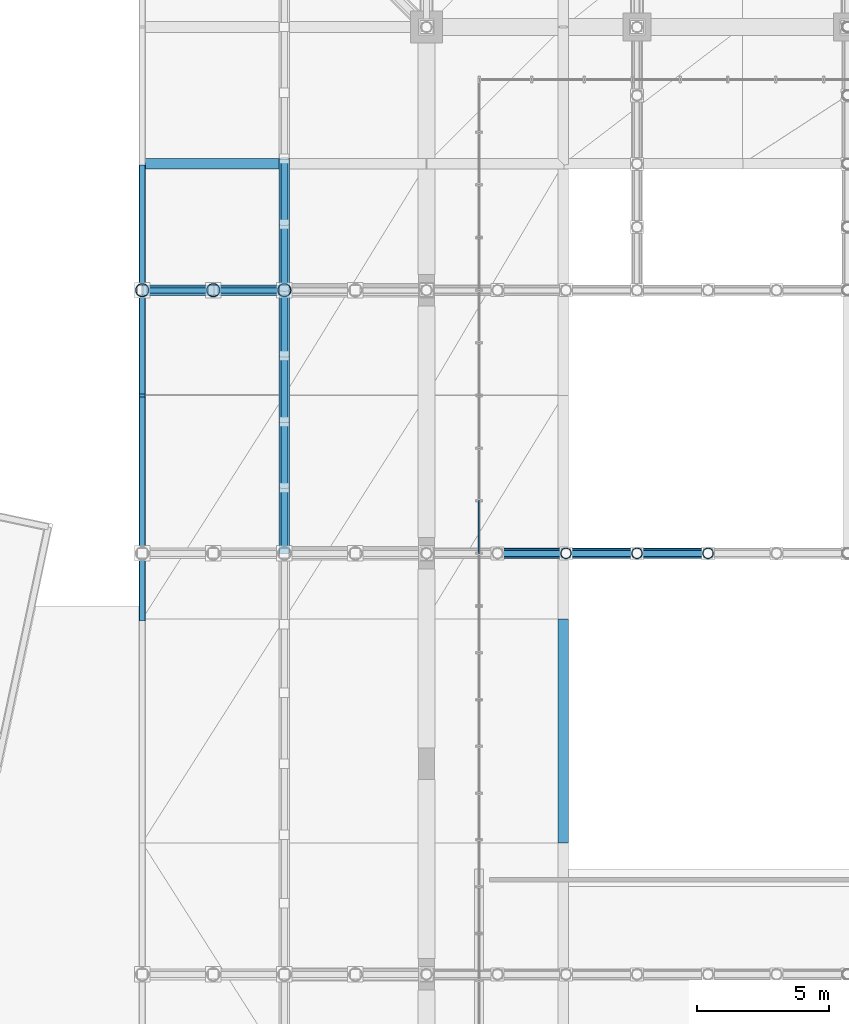
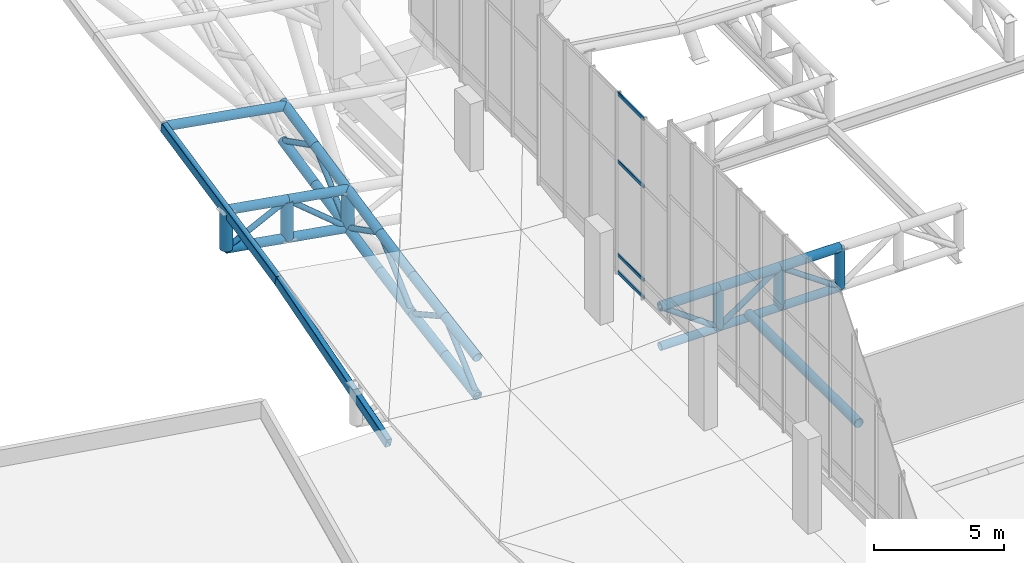
# One storey, part 37 of 137: 45 members, 2 beams, 1 element without a shape of its own.
"""IFC4 building model written with IfcOpenShell, lengths in metres."""

from ifc_helpers import new_model, si_unit, direction, frame, origin, origin_2d, place, context, subcontext, project, spatial, hollow_rectangle, hollow_circle, extrude, material, layer, layer_set, material_profile, profile_set, type_object, element, aggregate, save


model = new_model("IFC4")

# Units and contexts
model_context = context("Model", 3, precision=1e-05, world=origin(), true_north=direction((0.0, 1.0)))
body_context = subcontext(model_context, "Body", "Model", "MODEL_VIEW")
ifc_project = project(units=[si_unit("LENGTHUNIT", "METRE"), si_unit("AREAUNIT", "SQUARE_METRE"), si_unit("VOLUMEUNIT", "CUBIC_METRE"), si_unit("PLANEANGLEUNIT", "RADIAN"), si_unit("MASSUNIT", "GRAM", prefix="KILO")], contexts=[model_context])

# Site, building, storey
site_placement = place(None, origin())
site = spatial("IfcSite", under=ifc_project, at=site_placement, CompositionType="ELEMENT")
building_placement = place(site_placement, origin())
building = spatial("IfcBuilding", under=site, at=building_placement, Name="Khorjan Park Terminus", CompositionType="ELEMENT")
storey_placement = place(building_placement, frame((0.0, 0.0, 11.4)))
storey = spatial("IfcBuildingStorey", under=building, at=storey_placement, Name="L02", CompositionType="ELEMENT", Elevation=11.4)

# Members
ifc_material_1 = material(Name="Steel S355", Category="steel")
ifc_material_profile_1 = material_profile(ifc_material_1, hollow_circle(Radius=0.1222, WallThickness=0.0125, at=origin_2d()), Name="CHS 244.5x12.5")
ifc_profile_set_1 = profile_set([ifc_material_profile_1], Name="Steel S355")
member_type_1 = type_object("IfcMemberType", Name="MB-BR-245", PredefinedType="BRACE", material=ifc_profile_set_1)
member_1_placement = place(storey_placement, frame((50.7, 68.0, -0.05), z_axis=(0.811830357573, 0.0, -0.583893372562), x_axis=(0.0, 1.0, 0.0)))
element("IfcMember", 1, at=member_1_placement, inside=storey, type_object=member_type_1, Name="Lower shell W/E truss diagonal (W3)", PredefinedType="BRACE", context=body_context, shape_type="SweptSolid", body=[
    extrude(hollow_circle(Radius=0.1222, WallThickness=0.0125, at=origin_2d()), origin(), (0.0, 0.0, 1.0), 3.2026),
])
for number, where, z_axis, x_axis, name in (
    (2, (53.3, 68.0, -1.92), (0.822082565391, 0.0, 0.569368295289), (0.0, 1.0, 0.0), "Lower shell W/E truss diagonal (W3)"),
    (3, (56.0, 68.0, -0.05), (0.822082565391, 0.0, -0.569368295289), (0.0, 1.0, 0.0), "Lower shell W/E truss diagonal (W3)"),
):
    element("IfcMember", number, at=place(storey_placement, frame(where, z_axis=z_axis, x_axis=x_axis)), inside=storey, type_object=member_type_1, Name=name, PredefinedType="BRACE", context=body_context, shape_type="SweptSolid", body=[
        extrude(hollow_circle(Radius=0.1222, WallThickness=0.0125, at=origin_2d()), origin(), (0.0, 0.0, 1.0), 3.2843),
    ])
ifc_material_profile_2 = material_profile(ifc_material_1, hollow_circle(Radius=0.1222, WallThickness=0.0125, at=origin_2d()), Name="CHS 244.5x12.5")
ifc_profile_set_2 = profile_set([ifc_material_profile_2], Name="Steel S355")
member_type_2 = type_object("IfcMemberType", Name="MB-BRE-245", PredefinedType="BRACE", material=ifc_profile_set_2)
member_2_placement = place(storey_placement, frame((37.2, 78.0, 1.3564), z_axis=(0.895499207917, 0.0, 0.445063106335), x_axis=(0.0, 1.0, 0.0)))
element("IfcMember", 4, at=member_2_placement, inside=storey, type_object=member_type_2, Name="Lower shell W/E truss diagonal (W4)", PredefinedType="BRACE", context=body_context, shape_type="SweptSolid", body=[
    extrude(hollow_circle(Radius=0.1222, WallThickness=0.0125, at=origin_2d()), origin(), (0.0, 0.0, 1.0), 3.0151),
])
member_3_placement = place(storey_placement, frame((39.9, 78.0, 2.6983), z_axis=(0.767102290967, 0.0, -0.641524804816), x_axis=(0.0, 1.0, 0.0)))
element("IfcMember", 5, at=member_3_placement, inside=storey, type_object=member_type_2, Name="Lower shell W/E truss diagonal (W4)", PredefinedType="BRACE", context=body_context, shape_type="SweptSolid", body=[
    extrude(hollow_circle(Radius=0.1222, WallThickness=0.0125, at=origin_2d()), origin(), (0.0, 0.0, 1.0), 3.5197),
])
member_4_placement = place(storey_placement, frame((42.6, 68.0, -1.4106), z_axis=(0.0, 0.748125433345, 0.66355733436), x_axis=(-1.0, 0.0, 0.0)))
element("IfcMember", 6, at=member_4_placement, inside=storey, type_object=member_type_2, Name="Lower shell mid-ring diagonal (W21)", PredefinedType="BRACE", context=body_context, shape_type="SweptSolid", body=[
    extrude(hollow_circle(Radius=0.1222, WallThickness=0.0125, at=origin_2d()), origin(), (0.0, 0.0, 1.0), 3.3417),
])
member_5_placement = place(storey_placement, frame((42.6, 70.5, 0.8068), z_axis=(0.0, 0.875075363412, -0.483986681996), x_axis=(-1.0, 0.0, 0.0)))
element("IfcMember", 7, at=member_5_placement, inside=storey, type_object=member_type_2, Name="Lower shell mid-ring diagonal (W22)", PredefinedType="BRACE", context=body_context, shape_type="SweptSolid", body=[
    extrude(hollow_circle(Radius=0.1222, WallThickness=0.0125, at=origin_2d()), origin(), (0.0, 0.0, 1.0), 2.8569),
])
member_6_placement = place(storey_placement, frame((42.6, 73.0, -0.5759), z_axis=(0.0, 0.738075017903, 0.674718658366), x_axis=(-1.0, 0.0, 0.0)))
element("IfcMember", 8, at=member_6_placement, inside=storey, type_object=member_type_2, Name="Lower shell mid-ring diagonal (W23)", PredefinedType="BRACE", context=body_context, shape_type="SweptSolid", body=[
    extrude(hollow_circle(Radius=0.1222, WallThickness=0.0125, at=origin_2d()), origin(), (0.0, 0.0, 1.0), 3.3872),
])
member_7_placement = place(storey_placement, frame((42.6, 75.5, 1.7095), z_axis=(0.0, 0.891671199046, -0.452683634332), x_axis=(-1.0, 0.0, 0.0)))
element("IfcMember", 9, at=member_7_placement, inside=storey, type_object=member_type_2, Name="Lower shell mid-ring diagonal (W24)", PredefinedType="BRACE", context=body_context, shape_type="SweptSolid", body=[
    extrude(hollow_circle(Radius=0.1222, WallThickness=0.0125, at=origin_2d()), origin(), (0.0, 0.0, 1.0), 2.8037),
])
member_8_placement = place(storey_placement, frame((42.6, 78.0, 0.4403), z_axis=(0.0, 0.731439462043, 0.681906381673), x_axis=(-1.0, 0.0, 0.0)))
element("IfcMember", 10, at=member_8_placement, inside=storey, type_object=member_type_2, Name="Lower shell mid-ring diagonal (W25)", PredefinedType="BRACE", context=body_context, shape_type="SweptSolid", body=[
    extrude(hollow_circle(Radius=0.1222, WallThickness=0.0125, at=origin_2d()), origin(), (0.0, 0.0, 1.0), 3.4179),
])
member_9_placement = place(storey_placement, frame((42.6, 80.5, 2.771), z_axis=(0.0, 0.891671199046, -0.452683634332), x_axis=(-1.0, 0.0, 0.0)))
element("IfcMember", 11, at=member_9_placement, inside=storey, type_object=member_type_2, Name="Lower shell mid-ring diagonal (W26)", PredefinedType="BRACE", context=body_context, shape_type="SweptSolid", body=[
    extrude(hollow_circle(Radius=0.1222, WallThickness=0.0125, at=origin_2d()), origin(), (0.0, 0.0, 1.0), 2.8037),
])
ifc_material_profile_3 = material_profile(ifc_material_1, hollow_circle(Radius=0.1778, WallThickness=0.016, at=origin_2d()), Name="CHS 355.6x16")
ifc_profile_set_3 = profile_set([ifc_material_profile_3], Name="Steel S355")
member_type_3 = type_object("IfcMemberType", Name="MB-CH-356", PredefinedType="CHORD", material=ifc_profile_set_3)
member_10_placement = place(storey_placement, frame((50.7, 68.0, -1.92), z_axis=(1.0, 0.0, 0.0), x_axis=(0.0, 1.0, 0.0)))
element("IfcMember", 12, at=member_10_placement, inside=storey, type_object=member_type_3, Name="Lower shell W/E truss bottom chord (W3)", PredefinedType="CHORD", context=body_context, shape_type="SweptSolid", body=[
    extrude(hollow_circle(Radius=0.1778, WallThickness=0.016, at=origin_2d()), origin(), (0.0, 0.0, 1.0), 2.6),
])
for number, where, z_axis, x_axis, name in (
    (13, (53.3, 68.0, -1.92), (1.0, 0.0, 0.0), (0.0, 1.0, 0.0), "Lower shell W/E truss bottom chord (W3)"),
    (14, (56.0, 68.0, -1.92), (1.0, 0.0, 0.0), (0.0, 1.0, 0.0), "Lower shell W/E truss bottom chord (W3)"),
):
    element("IfcMember", number, at=place(storey_placement, frame(where, z_axis=z_axis, x_axis=x_axis)), inside=storey, type_object=member_type_3, Name=name, PredefinedType="CHORD", context=body_context, shape_type="SweptSolid", body=[
        extrude(hollow_circle(Radius=0.1778, WallThickness=0.016, at=origin_2d()), origin(), (0.0, 0.0, 1.0), 2.7),
    ])
ifc_material_profile_4 = material_profile(ifc_material_1, hollow_circle(Radius=0.2032, WallThickness=0.016, at=origin_2d()), Name="CHS 406.4x16")
ifc_profile_set_4 = profile_set([ifc_material_profile_4], Name="Steel S355")
member_type_4 = type_object("IfcMemberType", Name="MB-CH-406", PredefinedType="CHORD", material=ifc_profile_set_4)
member_11_placement = place(storey_placement, frame((53.2, 57.0, 0.266), z_axis=(0.0, 1.0, 0.0), x_axis=(-1.0, 0.0, 0.0)))
element("IfcMember", 15, at=member_11_placement, inside=storey, type_object=member_type_4, Name="Lower wrapping shell rim chord (132)", PredefinedType="CHORD", context=body_context, shape_type="SweptSolid", body=[
    extrude(hollow_circle(Radius=0.2032, WallThickness=0.016, at=origin_2d()), origin(), (0.0, 0.0, 1.0), 8.5),
])
member_12_placement = place(storey_placement, frame((50.7, 68.0, -0.05), z_axis=(1.0, 0.0, 0.0), x_axis=(0.0, 1.0, 0.0)))
element("IfcMember", 16, at=member_12_placement, inside=storey, type_object=member_type_4, Name="Lower shell W/E truss top chord (W3)", PredefinedType="CHORD", context=body_context, shape_type="SweptSolid", body=[
    extrude(hollow_circle(Radius=0.2032, WallThickness=0.016, at=origin_2d()), origin(), (0.0, 0.0, 1.0), 2.6),
])
for number, where, z_axis, x_axis, name in (
    (17, (53.3, 68.0, -0.05), (1.0, 0.0, 0.0), (0.0, 1.0, 0.0), "Lower shell W/E truss top chord (W3)"),
    (18, (56.0, 68.0, -0.05), (1.0, 0.0, 0.0), (0.0, 1.0, 0.0), "Lower shell W/E truss top chord (W3)"),
):
    element("IfcMember", number, at=place(storey_placement, frame(where, z_axis=z_axis, x_axis=x_axis)), inside=storey, type_object=member_type_4, Name=name, PredefinedType="CHORD", context=body_context, shape_type="SweptSolid", body=[
        extrude(hollow_circle(Radius=0.2032, WallThickness=0.016, at=origin_2d()), origin(), (0.0, 0.0, 1.0), 2.7),
    ])
ifc_material_profile_5 = material_profile(ifc_material_1, hollow_circle(Radius=0.2032, WallThickness=0.016, at=origin_2d()), Name="CHS 406.4x16")
ifc_profile_set_5 = profile_set([ifc_material_profile_5], Name="Steel S355")
member_type_5 = type_object("IfcMemberType", Name="MB-CHE-406", PredefinedType="CHORD", material=ifc_profile_set_5)
member_13_placement = place(storey_placement, frame((37.2, 82.8, 4.1754), z_axis=(0.985913104802, 0.0, -0.167258332465), x_axis=(0.0, 1.0, 0.0)))
element("IfcMember", 19, at=member_13_placement, inside=storey, type_object=member_type_5, Name="Lower wrapping shell rim chord (89)", PredefinedType="CHORD", context=body_context, shape_type="SweptSolid", body=[
    extrude(hollow_circle(Radius=0.2032, WallThickness=0.016, at=origin_2d()), origin(), (0.0, 0.0, 1.0), 5.4772),
])
for number, where, z_axis, x_axis, name in (
    (20, (37.2, 78.0, 3.1564), (0.985910093926, 0.0, -0.167276079269), (0.0, 1.0, 0.0), "Lower shell W/E truss top chord (W4)"),
    (21, (37.2, 78.0, 1.3564), (0.985910093926, 0.0, -0.167276079269), (0.0, 1.0, 0.0), "Lower shell W/E truss bottom chord (W4)"),
    (22, (39.9, 78.0, 2.6983), (0.985916115378, 0.0, -0.167240585497), (0.0, 1.0, 0.0), "Lower shell W/E truss top chord (W4)"),
    (23, (39.9, 78.0, 0.8983), (0.985916115378, 0.0, -0.167240585497), (0.0, 1.0, 0.0), "Lower shell W/E truss bottom chord (W4)"),
):
    element("IfcMember", number, at=place(storey_placement, frame(where, z_axis=z_axis, x_axis=x_axis)), inside=storey, type_object=member_type_5, Name=name, PredefinedType="CHORD", context=body_context, shape_type="SweptSolid", body=[
        extrude(hollow_circle(Radius=0.2032, WallThickness=0.016, at=origin_2d()), origin(), (0.0, 0.0, 1.0), 2.7386),
    ])
for number, where, z_axis, x_axis, name in (
    (24, (42.6, 68.0, 0.3894), (0.0, 0.986346965536, 0.164680489366), (-1.0, 0.0, 0.0), "Lower shell mid-ring top chord (W21)"),
    (25, (42.6, 68.0, -1.4106), (0.0, 0.986346965536, 0.164680489366), (-1.0, 0.0, 0.0), "Lower shell mid-ring bottom chord (W21)"),
    (26, (42.6, 70.5, 0.8068), (0.0, 0.986353373407, 0.164642105089), (-1.0, 0.0, 0.0), "Lower shell mid-ring top chord (W22)"),
    (27, (42.6, 70.5, -0.9932), (0.0, 0.986353373407, 0.164642105089), (-1.0, 0.0, 0.0), "Lower shell mid-ring bottom chord (W22)"),
):
    element("IfcMember", number, at=place(storey_placement, frame(where, z_axis=z_axis, x_axis=x_axis)), inside=storey, type_object=member_type_5, Name=name, PredefinedType="CHORD", context=body_context, shape_type="SweptSolid", body=[
        extrude(hollow_circle(Radius=0.2032, WallThickness=0.016, at=origin_2d()), origin(), (0.0, 0.0, 1.0), 2.5346),
    ])
for number, where, z_axis, x_axis, name in (
    (28, (42.6, 73.0, 1.2241), (0.0, 0.981667669478, 0.190600594706), (-1.0, 0.0, 0.0), "Lower shell mid-ring top chord (W23)"),
    (29, (42.6, 73.0, -0.5759), (0.0, 0.981667669478, 0.190600594706), (-1.0, 0.0, 0.0), "Lower shell mid-ring bottom chord (W23)"),
):
    element("IfcMember", number, at=place(storey_placement, frame(where, z_axis=z_axis, x_axis=x_axis)), inside=storey, type_object=member_type_5, Name=name, PredefinedType="CHORD", context=body_context, shape_type="SweptSolid", body=[
        extrude(hollow_circle(Radius=0.2032, WallThickness=0.016, at=origin_2d()), origin(), (0.0, 0.0, 1.0), 2.5467),
    ])
for number, where, z_axis, x_axis, name in (
    (30, (42.6, 75.5, 1.7095), (0.0, 0.978194635789, 0.207690285071), (-1.0, 0.0, 0.0), "Lower shell mid-ring top chord (W24)"),
    (31, (42.6, 75.5, -0.0905), (0.0, 0.978194635789, 0.207690285071), (-1.0, 0.0, 0.0), "Lower shell mid-ring bottom chord (W24)"),
    (32, (42.6, 78.0, 2.2403), (0.0, 0.978202584398, 0.207652844616), (-1.0, 0.0, 0.0), "Lower shell mid-ring top chord (W25)"),
    (33, (42.6, 78.0, 0.4403), (0.0, 0.978202584398, 0.207652844616), (-1.0, 0.0, 0.0), "Lower shell mid-ring bottom chord (W25)"),
    (34, (42.6, 80.5, 2.771), (0.0, 0.978194635789, 0.207690285071), (-1.0, 0.0, 0.0), "Lower shell mid-ring top chord (W26)"),
    (35, (42.6, 80.5, 0.971), (0.0, 0.978194635789, 0.207690285071), (-1.0, 0.0, 0.0), "Lower shell mid-ring bottom chord (W26)"),
):
    element("IfcMember", number, at=place(storey_placement, frame(where, z_axis=z_axis, x_axis=x_axis)), inside=storey, type_object=member_type_5, Name=name, PredefinedType="CHORD", context=body_context, shape_type="SweptSolid", body=[
        extrude(hollow_circle(Radius=0.2032, WallThickness=0.016, at=origin_2d()), origin(), (0.0, 0.0, 1.0), 2.5557),
    ])
ifc_material_profile_6 = material_profile(ifc_material_1, hollow_circle(Radius=0.2032, WallThickness=0.016, at=origin_2d()), Name="CHS 406.4x16")
ifc_profile_set_6 = profile_set([ifc_material_profile_6], Name="Steel S355")
member_type_6 = type_object("IfcMemberType", Name="MB-ST-406", PredefinedType="STRUT", material=ifc_profile_set_6)
for number, where, z_axis, x_axis, name in (
    (36, (53.3, 68.0, -1.92), (0.0, 0.0, 1.0), (1.0, 0.0, 0.0), "Lower shell W/E truss post (W3)"),
    (37, (56.0, 68.0, -1.92), (0.0, 0.0, 1.0), (1.0, 0.0, 0.0), "Lower shell W/E truss post (W3)"),
    (38, (58.7, 68.0, -1.92), (0.0, 0.0, 1.0), (1.0, 0.0, 0.0), "Lower shell W/E truss post (W3)"),
):
    element("IfcMember", number, at=place(storey_placement, frame(where, z_axis=z_axis, x_axis=x_axis)), inside=storey, type_object=member_type_6, Name=name, PredefinedType="STRUT", context=body_context, shape_type="SweptSolid", body=[
        extrude(hollow_circle(Radius=0.2032, WallThickness=0.016, at=origin_2d()), origin(), (0.0, 0.0, 1.0), 1.87),
    ])
ifc_material_profile_7 = material_profile(ifc_material_1, hollow_circle(Radius=0.254, WallThickness=0.02, at=origin_2d()), Name="CHS 508x20")
ifc_profile_set_7 = profile_set([ifc_material_profile_7], Name="Steel S355")
member_type_7 = type_object("IfcMemberType", Name="MB-STE-508", PredefinedType="STRUT", material=ifc_profile_set_7)
for number, where, z_axis, x_axis, name in (
    (39, (37.2, 78.0, 1.3564), (0.0, 0.0, 1.0), (1.0, 0.0, 0.0), "Lower shell W/E truss post (W4)"),
    (40, (39.9, 78.0, 0.8983), (0.0, 0.0, 1.0), (1.0, 0.0, 0.0), "Lower shell W/E truss post (W4)"),
    (41, (42.6, 78.0, 0.4403), (0.0, 0.0, 1.0), (1.0, 0.0, 0.0), "Lower shell W/E truss post (W4)"),
):
    element("IfcMember", number, at=place(storey_placement, frame(where, z_axis=z_axis, x_axis=x_axis)), inside=storey, type_object=member_type_7, Name=name, PredefinedType="STRUT", context=body_context, shape_type="SweptSolid", body=[
        extrude(hollow_circle(Radius=0.254, WallThickness=0.02, at=origin_2d()), origin(), (0.0, 0.0, 1.0), 1.8),
    ])

# Beams
ifc_material_profile_8 = material_profile(ifc_material_1, hollow_rectangle(XDim=0.25, YDim=0.45, WallThickness=0.016, InnerFilletRadius=0.016, OuterFilletRadius=0.032, at=origin_2d()), Name="RHS 450x250x16")
ifc_profile_set_8 = profile_set([ifc_material_profile_8], Name="Steel S355")
beam_type = type_object("IfcBeamType", Name="SP-RHS450", PredefinedType="SPANDREL", material=ifc_profile_set_8)
beam_1_placement = place(storey_placement, frame((37.2, 65.5, -0.225), z_axis=(0.0, 0.959053377189, 0.283225386755), x_axis=(-1.0, 0.0, 0.0)))
element("IfcBeam", 42, at=beam_1_placement, inside=storey, type_object=beam_type, Name="Lower wrapping shell upturned edge beam SP-R45 (40)", PredefinedType="SPANDREL", context=body_context, shape_type="SweptSolid", body=[
    extrude(hollow_rectangle(XDim=0.25, YDim=0.45, WallThickness=0.016, InnerFilletRadius=0.016, OuterFilletRadius=0.032, at=origin_2d()), origin(), (0.0, 0.0, 1.0), 8.8629),
])
beam_2_placement = place(storey_placement, frame((37.2, 74.0, 2.2852), z_axis=(0.0, 0.978199513499, 0.207667310354), x_axis=(-1.0, 0.0, 0.0)))
element("IfcBeam", 43, at=beam_2_placement, inside=storey, type_object=beam_type, Name="Lower wrapping shell upturned edge beam SP-R45 (41)", PredefinedType="SPANDREL", context=body_context, shape_type="SweptSolid", body=[
    extrude(hollow_rectangle(XDim=0.25, YDim=0.45, WallThickness=0.016, InnerFilletRadius=0.016, OuterFilletRadius=0.032, at=origin_2d()), origin(), (0.0, 0.0, 1.0), 8.9961),
])

# Curtain wall, members
ifc_material_2 = material(Name="Anodized Bronze Aluminium", Category="aluminium")
ifc_layer = layer(ifc_material_2, 0.22)
ifc_layer_set = layer_set([ifc_layer], Name="Anodized Bronze Aluminium")
curtain_wall_type = type_object("IfcCurtainWallType", Name="CW-CONC-CLR", PredefinedType="NOTDEFINED", material=ifc_layer_set)
curtain_wall_placement = place(storey_placement, origin())
curtain_wall = element("IfcCurtainWall", 44, at=curtain_wall_placement, inside=storey, type_object=curtain_wall_type, Name="Unitized curtain wall CW-CL (CW-V2-W-CLR-04)", PredefinedType="NOTDEFINED")
ifc_material_profile_9 = material_profile(ifc_material_2, hollow_rectangle(XDim=0.07, YDim=0.16, WallThickness=0.004, InnerFilletRadius=0.004, OuterFilletRadius=0.008, at=origin_2d()), Name="ALT 70x160x4")
ifc_profile_set_9 = profile_set([ifc_material_profile_9], Name="Anodized Bronze Aluminium")
member_type_8 = type_object("IfcMemberType", Name="TR-ALT-160", PredefinedType="USERDEFINED", material=ifc_profile_set_9)
member_14_placement = place(storey_placement, frame((50.0, 70.0, 0.63), z_axis=(0.0, -1.0, 0.0), x_axis=(1.0, 0.0, 0.0)))
member_14 = element("IfcMember", 45, at=member_14_placement, type_object=member_type_8, Name="Curtain-wall transom TR-16 (CW-V2-W-CLR-04-3-1)", ObjectType="TRANSOM", PredefinedType="USERDEFINED", context=body_context, shape_type="SweptSolid", body=[
    extrude(hollow_rectangle(XDim=0.07, YDim=0.16, WallThickness=0.004, InnerFilletRadius=0.004, OuterFilletRadius=0.008, at=origin_2d()), origin(), (0.0, 0.0, 1.0), 2.0),
])
member_15_placement = place(storey_placement, frame((50.0, 70.0, 1.44), z_axis=(0.0, -1.0, 0.0), x_axis=(1.0, 0.0, 0.0)))
member_15 = element("IfcMember", 46, at=member_15_placement, type_object=member_type_8, Name="Curtain-wall transom TR-16 (CW-V2-W-CLR-04-3-2)", ObjectType="TRANSOM", PredefinedType="USERDEFINED", context=body_context, shape_type="SweptSolid", body=[
    extrude(hollow_rectangle(XDim=0.07, YDim=0.16, WallThickness=0.004, InnerFilletRadius=0.004, OuterFilletRadius=0.008, at=origin_2d()), origin(), (0.0, 0.0, 1.0), 2.0),
])
member_16_placement = place(storey_placement, frame((50.0, 70.0, 5.8366), z_axis=(0.0, -1.0, 0.0), x_axis=(1.0, 0.0, 0.0)))
member_16 = element("IfcMember", 47, at=member_16_placement, type_object=member_type_8, Name="Curtain-wall transom TR-16 (CW-V2-W-CLR-04-3-3)", ObjectType="TRANSOM", PredefinedType="USERDEFINED", context=body_context, shape_type="SweptSolid", body=[
    extrude(hollow_rectangle(XDim=0.07, YDim=0.16, WallThickness=0.004, InnerFilletRadius=0.004, OuterFilletRadius=0.008, at=origin_2d()), origin(), (0.0, 0.0, 1.0), 2.0),
])
member_17_placement = place(storey_placement, frame((50.0, 70.0, 9.0123), z_axis=(0.0, -1.0, 0.0), x_axis=(1.0, 0.0, 0.0)))
member_17 = element("IfcMember", 48, at=member_17_placement, type_object=member_type_8, Name="Curtain-wall transom TR-16 (CW-V2-W-CLR-04-3-4)", ObjectType="TRANSOM", PredefinedType="USERDEFINED", context=body_context, shape_type="SweptSolid", body=[
    extrude(hollow_rectangle(XDim=0.07, YDim=0.16, WallThickness=0.004, InnerFilletRadius=0.004, OuterFilletRadius=0.008, at=origin_2d()), origin(), (0.0, 0.0, 1.0), 2.0),
])
aggregate(curtain_wall, [member_14, member_15, member_16, member_17])

save(model, "model.ifc")
